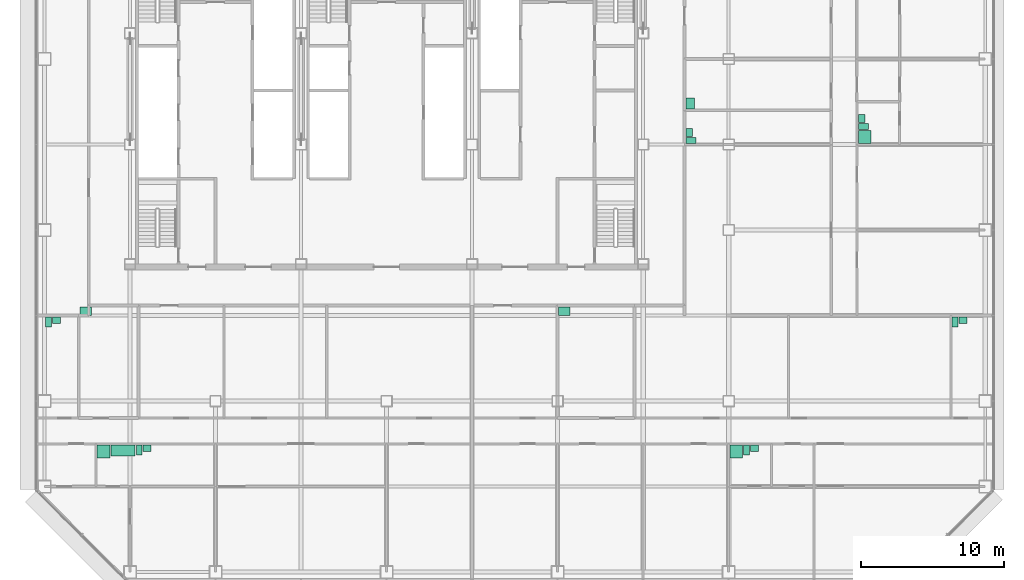
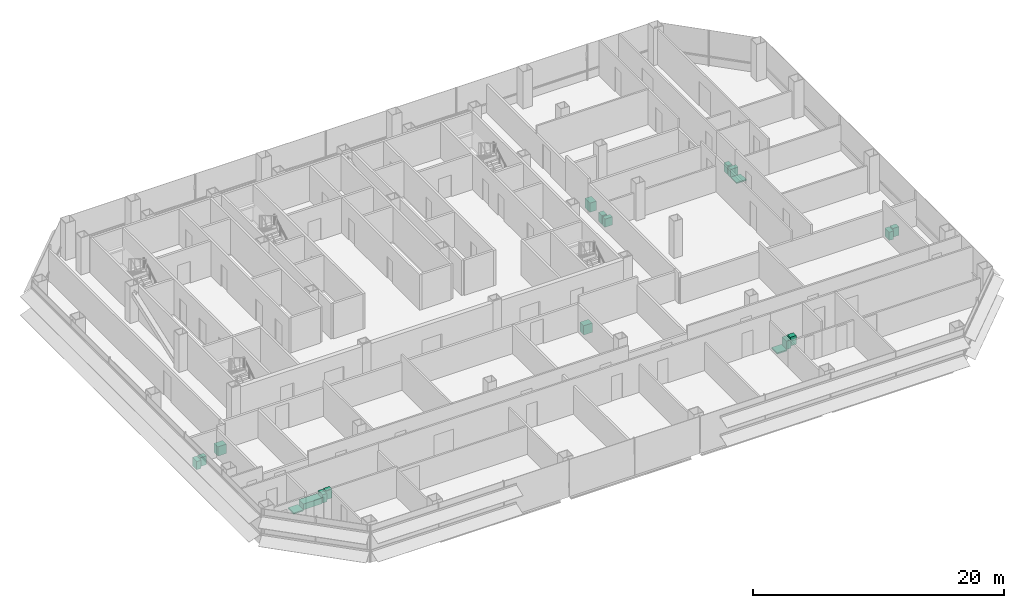
# One storey, part 27 of 27: 19 sanitary terminals.
"""IFC4 building model written with IfcOpenShell, lengths in metres."""

import ifcopenshell
import ifcopenshell.guid

model = None  # the IFC model being written
_history = None  # IfcOwnerHistory: only IFC2X3 demands one
_inside = {}  # id of a spatial element -> (the spatial element, [elements in it])
_under = {}  # id of a project, library or spatial element -> (it, [spatial elements below it])
_declared = {}  # id of a project -> (the project, [libraries it declares])
_typed = {}  # id of a type object -> (the type object, [elements of that type])
_made_of = {}  # id of a material, layer set ... -> (it, [elements and type objects made of it])


def new_model(schema):
    """Start an empty IFC model of exactly this schema.

    Asked for "IFC4X3", IfcOpenShell would pick the latest addendum, in which some entities
    have other attributes; the version numbers below select the first issue.
    IFC2X3 requires an IfcOwnerHistory on every rooted entity: one is made here for all.
    """
    global model, _history
    if schema == "IFC4X3":
        model = ifcopenshell.file(schema_version=(4, 3, 0, 0))
    else:
        model = ifcopenshell.file(schema=schema)
    _inside.clear()
    _under.clear()
    _declared.clear()
    _typed.clear()
    _made_of.clear()
    _history = None
    if model.schema == "IFC2X3":
        org = make("IfcOrganization", Name="unknown")
        user = make(
            "IfcPersonAndOrganization",
            ThePerson=make("IfcPerson", FamilyName="unknown"),
            TheOrganization=org,
        )
        app = make(
            "IfcApplication",
            ApplicationDeveloper=org,
            Version="unknown",
            ApplicationFullName="unknown",
            ApplicationIdentifier="unknown",
        )
        _history = make(
            "IfcOwnerHistory",
            OwningUser=user,
            OwningApplication=app,
            ChangeAction="ADDED",
            CreationDate=0,
        )
    return model


def make(cls, **values):
    """One entity of the class cls with the attributes given. An attribute that is None is left unset."""
    return model.create_entity(
        cls, **{name: value for name, value in values.items() if value is not None}
    )


def rooted(cls, **values):
    """An entity with a GlobalId (a new one), such as an element, a storey or a relation."""
    return make(cls, GlobalId=ifcopenshell.guid.new(), OwnerHistory=_history, **values)


def si_unit(unit_type, name, prefix=None):
    """IfcSIUnit, for example si_unit("LENGTHUNIT", "METRE", prefix="MILLI")."""
    return make("IfcSIUnit", UnitType=unit_type, Prefix=prefix, Name=name)


def assignment(units):
    """IfcUnitAssignment: the units of a project."""
    return None if units is None else make("IfcUnitAssignment", Units=units)


def point(xyz):
    """IfcCartesianPoint."""
    return None if xyz is None else make("IfcCartesianPoint", Coordinates=xyz)


def direction(xyz):
    """IfcDirection."""
    return None if xyz is None else make("IfcDirection", DirectionRatios=xyz)


def frame(location, z_axis=None, x_axis=None):
    """IfcAxis2Placement3D, a coordinate frame: its origin and axes. An axis left out is left unset."""
    return make(
        "IfcAxis2Placement3D",
        Location=point(location),
        Axis=direction(z_axis),
        RefDirection=direction(x_axis),
    )


def frame_2d(location, x_axis=None):
    """IfcAxis2Placement2D, a coordinate frame in the plane: its origin and x axis."""
    return make(
        "IfcAxis2Placement2D", Location=point(location), RefDirection=direction(x_axis)
    )


def origin():
    """The frame at (0, 0, 0) with its axes left unset."""
    return frame((0.0, 0.0, 0.0))


def origin_2d():
    """The frame at (0, 0) in the plane with its x axis left unset."""
    return frame_2d((0.0, 0.0))


def place(relative_to, where):
    """IfcLocalPlacement: puts the frame where relative to a parent placement (None: the world)."""
    return make(
        "IfcLocalPlacement", PlacementRelTo=relative_to, RelativePlacement=where
    )


def context(
    kind, dimensions, precision=None, world=None, true_north=None, identifier=None
):
    """IfcGeometricRepresentationContext, for example the 3D "Model" context."""
    return make(
        "IfcGeometricRepresentationContext",
        ContextIdentifier=identifier,
        ContextType=kind,
        CoordinateSpaceDimension=dimensions,
        Precision=precision,
        WorldCoordinateSystem=world,
        TrueNorth=true_north,
    )


def subcontext(parent, identifier, kind, view, scale=None):
    """IfcGeometricRepresentationSubContext, for example "Body" below "Model"."""
    return make(
        "IfcGeometricRepresentationSubContext",
        ContextIdentifier=identifier,
        ContextType=kind,
        ParentContext=parent,
        TargetScale=scale,
        TargetView=view,
    )


def project(units=None, contexts=None):
    """IfcProject with its units and contexts."""
    return rooted(
        "IfcProject",
        Name="project",
        RepresentationContexts=contexts,
        UnitsInContext=assignment(units),
    )


def spatial(cls, under=None, at=None, **own):
    """A site, building, storey or space (cls), placed at a placement, below another one or the project."""
    s = rooted(cls, ObjectPlacement=at, **own)
    if under is not None:
        _under.setdefault(under.id(), (under, []))[1].append(s)
    return s


def profile(cls, at=None, kind="AREA", **sizes):
    """A parametric profile (cls). Its sizes go by their IFC names, for example OverallWidth=200.0."""
    return make(cls, ProfileType=kind, Position=at, **sizes)


def rectangle(**sizes):
    """IfcRectangleProfileDef."""
    return profile("IfcRectangleProfileDef", **sizes)


def extrude(swept, where, along, depth):
    """IfcExtrudedAreaSolid: the profile swept, set in the frame where, extruded along a direction by depth."""
    return make(
        "IfcExtrudedAreaSolid",
        SweptArea=swept,
        Position=where,
        ExtrudedDirection=direction(along),
        Depth=depth,
    )


def shape(context_of_items, identifier, shape_type, items):
    """IfcShapeRepresentation: the items that make up one representation, for example the "Body"."""
    return make(
        "IfcShapeRepresentation",
        ContextOfItems=context_of_items,
        RepresentationIdentifier=identifier,
        RepresentationType=shape_type,
        Items=items,
    )


def made_of(thing, what):
    """Note that an element or type object is made of a material, layer set ...; save() writes the relation."""
    if what is not None:
        _made_of.setdefault(what.id(), (what, []))[1].append(thing)
    return thing


def element(
    cls,
    number,
    at=None,
    inside=None,
    cuts=None,
    type_object=None,
    material=None,
    context=None,
    identifier="Body",
    shape_type=None,
    held_by="IfcProductDefinitionShape",
    body=None,
    shapes=None,
    **own,
):
    """One element of the class cls, such as IfcWall. Its Tag is "e" and its number.

    at: its placement. inside: the storey or other place that contains it. cuts: it is an
    opening in that element (IfcRelVoidsElement). A single representation is given by context,
    identifier, shape_type and body (its items); several are given by shapes. held_by: the class
    of the entity that holds the representations. save() writes the other relations.
    """
    e = rooted(cls, Tag="e%d" % number, ObjectPlacement=at, **own)
    if body is not None:
        shapes = [shape(context, identifier, shape_type, body)]
    if shapes is not None:
        e.Representation = make(held_by, Representations=shapes)
    if inside is not None:
        _inside.setdefault(inside.id(), (inside, []))[1].append(e)
    if cuts is not None:
        rooted(
            "IfcRelVoidsElement", RelatingBuildingElement=cuts, RelatedOpeningElement=e
        )
    if type_object is not None:
        _typed.setdefault(type_object.id(), (type_object, []))[1].append(e)
    return made_of(e, material)


def aggregate(whole, parts):
    """IfcRelAggregates: a whole, such as a stair, and the parts it consists of."""
    return rooted("IfcRelAggregates", RelatingObject=whole, RelatedObjects=parts)


def save(model, path):
    """Write the relations noted so far, then the file.

    IfcRelAggregates (storeys below a building ...), IfcRelContainedInSpatialStructure (elements
    in a storey), IfcRelDefinesByType, IfcRelAssociatesMaterial and IfcRelDeclares: one each for
    every whole, place, type object, material and project.
    """
    for whole, parts in _under.values():
        aggregate(whole, parts)
    for where, things in _inside.values():
        rooted(
            "IfcRelContainedInSpatialStructure",
            RelatedElements=things,
            RelatingStructure=where,
        )
    for kind, things in _typed.values():
        rooted("IfcRelDefinesByType", RelatedObjects=things, RelatingType=kind)
    for what, things in _made_of.values():
        rooted("IfcRelAssociatesMaterial", RelatedObjects=things, RelatingMaterial=what)
    for by, libraries in _declared.values():
        rooted("IfcRelDeclares", RelatingContext=by, RelatedDefinitions=libraries)
    model.write(path)


model = new_model("IFC4")

# Units and contexts
model_context = context("Model", 3, precision=1e-05, world=origin(), true_north=direction((0.0, 1.0)))
body_context = subcontext(model_context, "Body", "Model", "MODEL_VIEW")
ifc_project = project(units=[si_unit("LENGTHUNIT", "METRE"), si_unit("AREAUNIT", "SQUARE_METRE"), si_unit("VOLUMEUNIT", "CUBIC_METRE"), si_unit("PLANEANGLEUNIT", "RADIAN"), si_unit("MASSUNIT", "GRAM", prefix="KILO")], contexts=[model_context])

# Site, building, storey
site_placement = place(None, origin())
site = spatial("IfcSite", under=ifc_project, at=site_placement, CompositionType="ELEMENT")
building_placement = place(site_placement, origin())
building = spatial("IfcBuilding", under=site, at=building_placement, Name="Sorahane Residences", CompositionType="ELEMENT")
storey_placement = place(building_placement, frame((0.0, 0.0, 78.60009765625)))
storey = spatial("IfcBuildingStorey", under=building, at=storey_placement, Name="L16", CompositionType="ELEMENT", Elevation=78.60009765625)

# Sanitary terminals
sanitary_terminal_1_placement = place(storey_placement, frame((4.1298828125, 8.449951171875, -0.000244140625), z_axis=(0.0, 0.0, 1.0), x_axis=(1.0, 0.0, 0.0)))
element("IfcSanitaryTerminal", 1, at=sanitary_terminal_1_placement, inside=storey, Name="Shower tray En-suite bathroom 16A", PredefinedType="SHOWER", context=body_context, shape_type="SweptSolid", body=[
    extrude(rectangle(XDim=0.89990234375, YDim=0.89990234375, at=origin_2d()), origin(), (0.0, 0.0, 1.0), 0.1201171875),
])
sanitary_terminal_2_placement = place(storey_placement, frame((5.510009765625, 8.52490234375, -0.000244140625), z_axis=(0.0, 0.0, 1.0), x_axis=(1.0, 0.0, 0.0)))
element("IfcSanitaryTerminal", 2, at=sanitary_terminal_2_placement, inside=storey, Name="Bath En-suite bathroom 16A", PredefinedType="BATH", context=body_context, shape_type="SweptSolid", body=[
    extrude(rectangle(XDim=1.699951171875, YDim=0.75, at=origin_2d()), origin(), (0.0, 0.0, 1.0), 0.56005859375),
])
sanitary_terminal_3_placement = place(storey_placement, frame((6.639892578125, 8.550048828125, 0.0), z_axis=(0.0, 0.0, 1.0), x_axis=(1.0, 0.0, 0.0)))
element("IfcSanitaryTerminal", 3, at=sanitary_terminal_3_placement, inside=storey, Name="WC pan En-suite bathroom 16A", PredefinedType="TOILETPAN", context=body_context, shape_type="SweptSolid", body=[
    extrude(rectangle(XDim=0.39990234375, YDim=0.699951171875, at=origin_2d()), origin(), (0.0, 0.0, 1.0), 0.800048828125),
])
sanitary_terminal_4_placement = place(storey_placement, frame((7.195068359375, 8.675048828125, -0.000244140625), z_axis=(0.0, 0.0, 1.0), x_axis=(1.0, 0.0, 0.0)))
element("IfcSanitaryTerminal", 4, at=sanitary_terminal_4_placement, inside=storey, Name="Wash basin En-suite bathroom 16A", PredefinedType="WASHHANDBASIN", context=body_context, shape_type="SweptSolid", body=[
    extrude(rectangle(XDim=0.550048828125, YDim=0.449951171875, at=origin_2d()), origin(), (0.0, 0.0, 1.0), 0.85009765625),
])
sanitary_terminal_5_placement = place(storey_placement, frame((0.280029296875, 17.550048828125, 0.0), z_axis=(0.0, 0.0, 1.0), x_axis=(1.0, 0.0, 0.0)))
element("IfcSanitaryTerminal", 5, at=sanitary_terminal_5_placement, inside=storey, Name="WC pan Guest WC 16A", PredefinedType="TOILETPAN", context=body_context, shape_type="SweptSolid", body=[
    extrude(rectangle(XDim=0.39990234375, YDim=0.699951171875, at=origin_2d()), origin(), (0.0, 0.0, 1.0), 0.800048828125),
])
sanitary_terminal_6_placement = place(storey_placement, frame((0.8349609375, 17.675048828125, -0.000244140625), z_axis=(0.0, 0.0, 1.0), x_axis=(1.0, 0.0, 0.0)))
element("IfcSanitaryTerminal", 6, at=sanitary_terminal_6_placement, inside=storey, Name="Wash basin Guest WC 16A", PredefinedType="WASHHANDBASIN", context=body_context, shape_type="SweptSolid", body=[
    extrude(rectangle(XDim=0.550048828125, YDim=0.449951171875, at=origin_2d()), origin(), (0.0, 0.0, 1.0), 0.85009765625),
])
sanitary_terminal_7_placement = place(storey_placement, frame((2.8798828125, 18.300048828125, 0.0), z_axis=(0.0, 0.0, 1.0), x_axis=(1.0, 0.0, 0.0)))
element("IfcSanitaryTerminal", 7, at=sanitary_terminal_7_placement, inside=storey, Name="Kitchen sink Kitchen 16A", PredefinedType="SINK", context=body_context, shape_type="SweptSolid", body=[
    extrude(rectangle(XDim=0.800048828125, YDim=0.60009765625, at=origin_2d()), origin(), (0.0, 0.0, 1.0), 0.89990234375),
])
sanitary_terminal_8_placement = place(storey_placement, frame((48.530029296875, 8.449951171875, -0.000244140625), z_axis=(0.0, 0.0, 1.0), x_axis=(1.0, 0.0, 0.0)))
element("IfcSanitaryTerminal", 8, at=sanitary_terminal_8_placement, inside=storey, Name="Shower tray En-suite bathroom 16B", PredefinedType="SHOWER", context=body_context, shape_type="SweptSolid", body=[
    extrude(rectangle(XDim=0.89990234375, YDim=0.89990234375, at=origin_2d()), origin(), (0.0, 0.0, 1.0), 0.1201171875),
])
sanitary_terminal_9_placement = place(storey_placement, frame((49.260009765625, 8.550048828125, 0.0), z_axis=(0.0, 0.0, 1.0), x_axis=(1.0, 0.0, 0.0)))
element("IfcSanitaryTerminal", 9, at=sanitary_terminal_9_placement, inside=storey, Name="WC pan En-suite bathroom 16B", PredefinedType="TOILETPAN", context=body_context, shape_type="SweptSolid", body=[
    extrude(rectangle(XDim=0.39990234375, YDim=0.699951171875, at=origin_2d()), origin(), (0.0, 0.0, 1.0), 0.800048828125),
])
sanitary_terminal_10_placement = place(storey_placement, frame((49.81494140625, 8.675048828125, -0.000244140625), z_axis=(0.0, 0.0, 1.0), x_axis=(1.0, 0.0, 0.0)))
element("IfcSanitaryTerminal", 10, at=sanitary_terminal_10_placement, inside=storey, Name="Wash basin En-suite bathroom 16B", PredefinedType="WASHHANDBASIN", context=body_context, shape_type="SweptSolid", body=[
    extrude(rectangle(XDim=0.550048828125, YDim=0.449951171875, at=origin_2d()), origin(), (0.0, 0.0, 1.0), 0.85009765625),
])
sanitary_terminal_11_placement = place(storey_placement, frame((36.47998046875, 18.300048828125, 0.0), z_axis=(0.0, 0.0, 1.0), x_axis=(1.0, 0.0, 0.0)))
element("IfcSanitaryTerminal", 11, at=sanitary_terminal_11_placement, inside=storey, Name="Kitchen sink Kitchen 16B", PredefinedType="SINK", context=body_context, shape_type="SweptSolid", body=[
    extrude(rectangle(XDim=0.800048828125, YDim=0.60009765625, at=origin_2d()), origin(), (0.0, 0.0, 1.0), 0.89990234375),
])
sanitary_terminal_12_placement = place(storey_placement, frame((63.8798828125, 17.550048828125, 0.0), z_axis=(0.0, 0.0, 1.0), x_axis=(1.0, 0.0, 0.0)))
element("IfcSanitaryTerminal", 12, at=sanitary_terminal_12_placement, inside=storey, Name="WC pan Guest WC 16B", PredefinedType="TOILETPAN", context=body_context, shape_type="SweptSolid", body=[
    extrude(rectangle(XDim=0.39990234375, YDim=0.699951171875, at=origin_2d()), origin(), (0.0, 0.0, 1.0), 0.800048828125),
])
sanitary_terminal_13_placement = place(storey_placement, frame((64.43505859375, 17.675048828125, -0.000244140625), z_axis=(0.0, 0.0, 1.0), x_axis=(1.0, 0.0, 0.0)))
element("IfcSanitaryTerminal", 13, at=sanitary_terminal_13_placement, inside=storey, Name="Wash basin Guest WC 16B", PredefinedType="WASHHANDBASIN", context=body_context, shape_type="SweptSolid", body=[
    extrude(rectangle(XDim=0.550048828125, YDim=0.449951171875, at=origin_2d()), origin(), (0.0, 0.0, 1.0), 0.85009765625),
])
sanitary_terminal_14_placement = place(storey_placement, frame((57.550048828125, 30.530029296875, -0.000244140625), z_axis=(0.0, 0.0, 1.0), x_axis=(0.0, 1.0, 0.0)))
element("IfcSanitaryTerminal", 14, at=sanitary_terminal_14_placement, inside=storey, Name="Shower tray En-suite bathroom 16C", PredefinedType="SHOWER", context=body_context, shape_type="SweptSolid", body=[
    extrude(rectangle(XDim=0.89990234375, YDim=0.89990234375, at=origin_2d()), origin(), (0.0, 0.0, 1.0), 0.1201171875),
])
sanitary_terminal_15_placement = place(storey_placement, frame((57.449951171875, 31.260009765625, 0.0), z_axis=(0.0, 0.0, 1.0), x_axis=(0.0, 1.0, 0.0)))
element("IfcSanitaryTerminal", 15, at=sanitary_terminal_15_placement, inside=storey, Name="WC pan En-suite bathroom 16C", PredefinedType="TOILETPAN", context=body_context, shape_type="SweptSolid", body=[
    extrude(rectangle(XDim=0.39990234375, YDim=0.699951171875, at=origin_2d()), origin(), (0.0, 0.0, 1.0), 0.800048828125),
])
sanitary_terminal_16_placement = place(storey_placement, frame((57.324951171875, 31.81494140625, -0.000244140625), z_axis=(0.0, 0.0, 1.0), x_axis=(0.0, 1.0, 0.0)))
element("IfcSanitaryTerminal", 16, at=sanitary_terminal_16_placement, inside=storey, Name="Wash basin En-suite bathroom 16C", PredefinedType="WASHHANDBASIN", context=body_context, shape_type="SweptSolid", body=[
    extrude(rectangle(XDim=0.550048828125, YDim=0.449951171875, at=origin_2d()), origin(), (0.0, 0.0, 1.0), 0.85009765625),
])
sanitary_terminal_17_placement = place(storey_placement, frame((45.35009765625, 30.280029296875, 0.0), z_axis=(0.0, 0.0, 1.0), x_axis=(0.0, 1.0, 0.0)))
element("IfcSanitaryTerminal", 17, at=sanitary_terminal_17_placement, inside=storey, Name="WC pan Powder room 16C", PredefinedType="TOILETPAN", context=body_context, shape_type="SweptSolid", body=[
    extrude(rectangle(XDim=0.39990234375, YDim=0.699951171875, at=origin_2d()), origin(), (0.0, 0.0, 1.0), 0.800048828125),
])
sanitary_terminal_18_placement = place(storey_placement, frame((45.22509765625, 30.8349609375, -0.000244140625), z_axis=(0.0, 0.0, 1.0), x_axis=(0.0, 1.0, 0.0)))
element("IfcSanitaryTerminal", 18, at=sanitary_terminal_18_placement, inside=storey, Name="Wash basin Powder room 16C", PredefinedType="WASHHANDBASIN", context=body_context, shape_type="SweptSolid", body=[
    extrude(rectangle(XDim=0.550048828125, YDim=0.449951171875, at=origin_2d()), origin(), (0.0, 0.0, 1.0), 0.85009765625),
])
sanitary_terminal_19_placement = place(storey_placement, frame((45.300048828125, 32.8798828125, 0.0), z_axis=(0.0, 0.0, 1.0), x_axis=(0.0, 1.0, 0.0)))
element("IfcSanitaryTerminal", 19, at=sanitary_terminal_19_placement, inside=storey, Name="Kitchen sink Kitchen 16C", PredefinedType="SINK", context=body_context, shape_type="SweptSolid", body=[
    extrude(rectangle(XDim=0.800048828125, YDim=0.60009765625, at=origin_2d()), origin(), (0.0, 0.0, 1.0), 0.89990234375),
])

save(model, "model.ifc")
